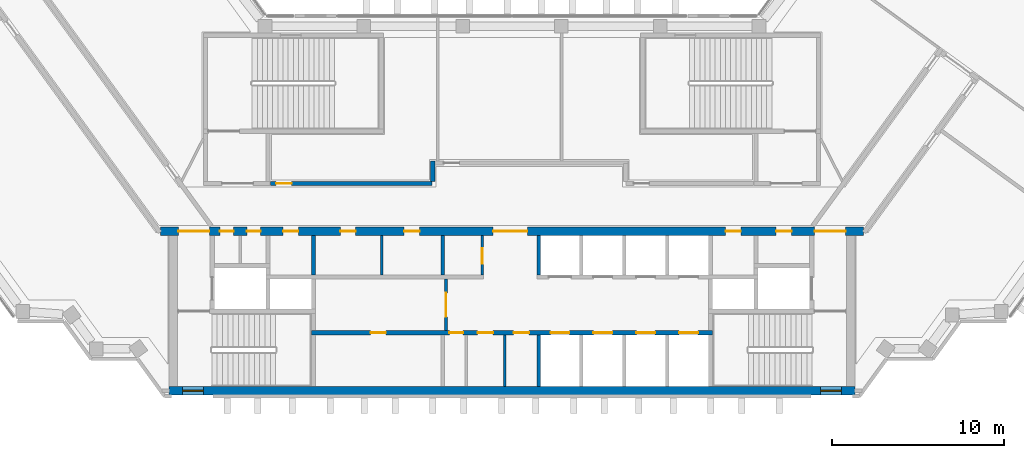
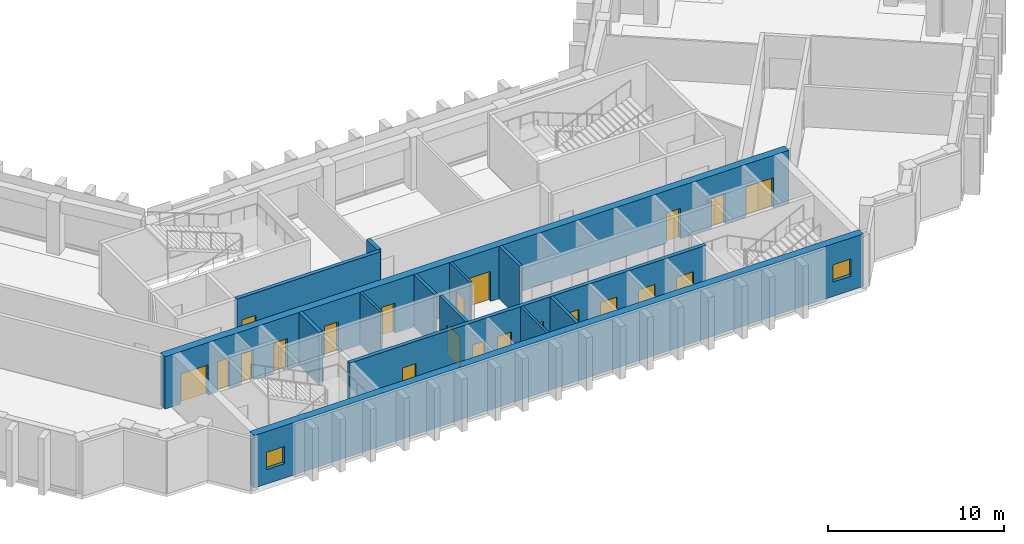
# One storey, part 5 of 9: 21 doors, 13 walls, 2 windows, 23 openings.
"""IFC4 building model written with IfcOpenShell, lengths in metres."""

from ifc_helpers import new_model, si_unit, direction, frame, frame_2d, origin, place, context, subcontext, project, spatial, rectangle, extrude, material, layer, layer_set, type_object, element, fill, save


model = new_model("IFC4")

# Units and contexts
model_context = context("Model", 3, precision=1e-05, world=origin(), true_north=direction((0.0, 1.0)))
body_context = subcontext(model_context, "Body", "Model", "MODEL_VIEW")
ifc_project = project(units=[si_unit("LENGTHUNIT", "METRE"), si_unit("AREAUNIT", "SQUARE_METRE"), si_unit("VOLUMEUNIT", "CUBIC_METRE"), si_unit("PLANEANGLEUNIT", "RADIAN"), si_unit("MASSUNIT", "GRAM", prefix="KILO")], contexts=[model_context])

# Site, building, storey
site_placement = place(None, origin())
site = spatial("IfcSite", under=ifc_project, at=site_placement, CompositionType="ELEMENT")
building_placement = place(site_placement, origin())
building = spatial("IfcBuilding", under=site, at=building_placement, Name="Quipu Civic Tower", CompositionType="ELEMENT")
storey_placement = place(building_placement, frame((0.0, 0.0, 230.0)))
storey = spatial("IfcBuildingStorey", under=building, at=storey_placement, Name="L54", CompositionType="ELEMENT", Elevation=230.0)

# Wall, openings, doors
ifc_material_1 = material(Name="Concrete C70/85", Category="concrete")
ifc_layer_1 = layer(ifc_material_1, 0.25)
ifc_layer_set_1 = layer_set([ifc_layer_1], Name="Concrete C70/85")
wall_type_1 = type_object("IfcWallType", Name="Core wall 250", PredefinedType="SHEAR", material=ifc_layer_set_1)
wall_1_placement = place(storey_placement, frame((11.699951171875, -7.375, 0.0), z_axis=(0.0, 0.0, 1.0), x_axis=(-1.0, 0.0, 0.0)))
wall_1 = element("IfcWall", 1, at=wall_1_placement, inside=storey, type_object=wall_type_1, Name="Core wall", PredefinedType="SHEAR", context=body_context, shape_type="SweptSolid", body=[
    extrude(rectangle(XDim=23.39990234375, YDim=0.25, at=frame_2d((11.699951171875, 0.0))), origin(), (0.0, 0.0, 1.0), 3.64990234375),
])
opening_1_placement = place(wall_1_placement, frame((19.050048828125, 0.0, 0.0)))
opening_1 = element("IfcOpeningElement", 2, at=opening_1_placement, cuts=wall_1, Name="Opening CD-01", PredefinedType="OPENING", context=body_context, shape_type="SweptSolid", body=[
    extrude(rectangle(XDim=0.89990234375, YDim=2.10009765625, at=frame_2d((0.449951171875, 1.050048828125))), frame((0.0, 0.135009765625, 0.0), z_axis=(0.0, -1.0, 0.0), x_axis=(1.0, 0.0, 0.0)), (0.0, 0.0, 1.0), 0.27001953125),
])
opening_2_placement = place(wall_1_placement, frame((14.550048828125, 0.0, 0.0)))
opening_2 = element("IfcOpeningElement", 3, at=opening_2_placement, cuts=wall_1, Name="Opening CD-02", PredefinedType="OPENING", context=body_context, shape_type="SweptSolid", body=[
    extrude(rectangle(XDim=0.800048828125, YDim=2.10009765625, at=frame_2d((0.39990234375, 1.050048828125))), frame((0.0, 0.135009765625, 0.0), z_axis=(0.0, -1.0, 0.0), x_axis=(1.0, 0.0, 0.0)), (0.0, 0.0, 1.0), 0.27001953125),
])
opening_3_placement = place(wall_1_placement, frame((12.800048828125, 0.0, 0.0)))
opening_3 = element("IfcOpeningElement", 4, at=opening_3_placement, cuts=wall_1, Name="Opening CD-03", PredefinedType="OPENING", context=body_context, shape_type="SweptSolid", body=[
    extrude(rectangle(XDim=0.89990234375, YDim=2.10009765625, at=frame_2d((0.449951171875, 1.050048828125))), frame((0.0, 0.135009765625, 0.0), z_axis=(0.0, -1.0, 0.0), x_axis=(1.0, 0.0, 0.0)), (0.0, 0.0, 1.0), 0.27001953125),
])
opening_4_placement = place(wall_1_placement, frame((10.699951171875, 0.0, 0.0)))
opening_4 = element("IfcOpeningElement", 5, at=opening_4_placement, cuts=wall_1, Name="Opening CD-04", PredefinedType="OPENING", context=body_context, shape_type="SweptSolid", body=[
    extrude(rectangle(XDim=0.89990234375, YDim=2.10009765625, at=frame_2d((0.449951171875, 1.050048828125))), frame((0.0, 0.135009765625, 0.0), z_axis=(0.0, -1.0, 0.0), x_axis=(1.0, 0.0, 0.0)), (0.0, 0.0, 1.0), 0.27001953125),
])
opening_5_placement = place(wall_1_placement, frame((8.35009765625, 0.0, 0.0)))
opening_5 = element("IfcOpeningElement", 6, at=opening_5_placement, cuts=wall_1, Name="Opening LD-ML1", PredefinedType="OPENING", context=body_context, shape_type="SweptSolid", body=[
    extrude(rectangle(XDim=1.10009765625, YDim=2.10009765625, at=frame_2d((0.550048828125, 1.050048828125))), frame((0.0, 0.135009765625, 0.0), z_axis=(0.0, -1.0, 0.0), x_axis=(1.0, 0.0, 0.0)), (0.0, 0.0, 1.0), 0.27001953125),
])
opening_6_placement = place(wall_1_placement, frame((5.85009765625, 0.0, 0.0)))
opening_6 = element("IfcOpeningElement", 7, at=opening_6_placement, cuts=wall_1, Name="Opening LD-ML2", PredefinedType="OPENING", context=body_context, shape_type="SweptSolid", body=[
    extrude(rectangle(XDim=1.10009765625, YDim=2.10009765625, at=frame_2d((0.550048828125, 1.050048828125))), frame((0.0, 0.135009765625, 0.0), z_axis=(0.0, -1.0, 0.0), x_axis=(1.0, 0.0, 0.0)), (0.0, 0.0, 1.0), 0.27001953125),
])
opening_7_placement = place(wall_1_placement, frame((3.35009765625, 0.0, 0.0)))
opening_7 = element("IfcOpeningElement", 8, at=opening_7_placement, cuts=wall_1, Name="Opening LD-ML3", PredefinedType="OPENING", context=body_context, shape_type="SweptSolid", body=[
    extrude(rectangle(XDim=1.10009765625, YDim=2.10009765625, at=frame_2d((0.550048828125, 1.050048828125))), frame((0.0, 0.135009765625, 0.0), z_axis=(0.0, -1.0, 0.0), x_axis=(1.0, 0.0, 0.0)), (0.0, 0.0, 1.0), 0.27001953125),
])
opening_8_placement = place(wall_1_placement, frame((0.85009765625, 0.0, 0.0)))
opening_8 = element("IfcOpeningElement", 9, at=opening_8_placement, cuts=wall_1, Name="Opening LD-ML4", PredefinedType="OPENING", context=body_context, shape_type="SweptSolid", body=[
    extrude(rectangle(XDim=1.10009765625, YDim=2.10009765625, at=frame_2d((0.550048828125, 1.050048828125))), frame((0.0, 0.135009765625, 0.0), z_axis=(0.0, -1.0, 0.0), x_axis=(1.0, 0.0, 0.0)), (0.0, 0.0, 1.0), 0.27001953125),
])
ifc_material_2 = material(Name="Fire rated steel door", Category="steel")
door_type_1 = type_object("IfcDoorType", Name="Fire door FD60 800 x 2100", OperationType="NOTDEFINED", PredefinedType="DOOR", material=ifc_material_2)
door_1_placement = place(opening_2_placement, origin())
door_1 = element("IfcDoor", 10, at=door_1_placement, inside=storey, type_object=door_type_1, Name="Door", OperationType="SINGLE_SWING_RIGHT", OverallHeight=2.10009765625, OverallWidth=0.800048828125, PredefinedType="DOOR", context=body_context, shape_type="SweptSolid", body=[
    extrude(rectangle(XDim=0.800048828125, YDim=2.10009765625, at=frame_2d((0.39990234375, 1.050048828125))), frame((0.0, 0.02490234375, 0.0), z_axis=(0.0, -1.0, 0.0), x_axis=(1.0, 0.0, 0.0)), (0.0, 0.0, 1.0), 0.050048828125),
])
fill(opening_2, door_1)
ifc_material_3 = material(Name="Fire rated steel door", Category="steel")
door_type_2 = type_object("IfcDoorType", Name="Fire door FD60 900 x 2100", OperationType="NOTDEFINED", PredefinedType="DOOR", material=ifc_material_3)
door_2_placement = place(opening_1_placement, origin())
door_2 = element("IfcDoor", 11, at=door_2_placement, inside=storey, type_object=door_type_2, Name="Door", OperationType="SINGLE_SWING_RIGHT", OverallHeight=2.10009765625, OverallWidth=0.89990234375, PredefinedType="DOOR", context=body_context, shape_type="SweptSolid", body=[
    extrude(rectangle(XDim=0.89990234375, YDim=2.10009765625, at=frame_2d((0.449951171875, 1.050048828125))), frame((0.0, 0.02490234375, 0.0), z_axis=(0.0, -1.0, 0.0), x_axis=(1.0, 0.0, 0.0)), (0.0, 0.0, 1.0), 0.050048828125),
])
fill(opening_1, door_2)
door_3_placement = place(opening_3_placement, origin())
door_3 = element("IfcDoor", 12, at=door_3_placement, inside=storey, type_object=door_type_2, Name="WC door", OperationType="SINGLE_SWING_RIGHT", OverallHeight=2.10009765625, OverallWidth=0.89990234375, PredefinedType="DOOR", context=body_context, shape_type="SweptSolid", body=[
    extrude(rectangle(XDim=0.89990234375, YDim=2.10009765625, at=frame_2d((0.449951171875, 1.050048828125))), frame((0.0, 0.02490234375, 0.0), z_axis=(0.0, -1.0, 0.0), x_axis=(1.0, 0.0, 0.0)), (0.0, 0.0, 1.0), 0.050048828125),
])
fill(opening_3, door_3)
door_4_placement = place(opening_4_placement, origin())
door_4 = element("IfcDoor", 13, at=door_4_placement, inside=storey, type_object=door_type_2, Name="WC door", OperationType="SINGLE_SWING_LEFT", OverallHeight=2.10009765625, OverallWidth=0.89990234375, PredefinedType="DOOR", context=body_context, shape_type="SweptSolid", body=[
    extrude(rectangle(XDim=0.89990234375, YDim=2.10009765625, at=frame_2d((0.449951171875, 1.050048828125))), frame((0.0, 0.02490234375, 0.0), z_axis=(0.0, -1.0, 0.0), x_axis=(1.0, 0.0, 0.0)), (0.0, 0.0, 1.0), 0.050048828125),
])
fill(opening_4, door_4)
ifc_material_4 = material(Name="Stainless steel", Category="steel")
door_type_3 = type_object("IfcDoorType", Name="Lift landing door 1100 x 2100", OperationType="DOUBLE_DOOR_SLIDING", PredefinedType="DOOR", material=ifc_material_4)
door_5_placement = place(opening_5_placement, origin())
door_5 = element("IfcDoor", 14, at=door_5_placement, inside=storey, type_object=door_type_3, Name="Landing door ML1", OperationType="DOUBLE_DOOR_SLIDING", OverallHeight=2.10009765625, OverallWidth=1.10009765625, PredefinedType="DOOR", context=body_context, shape_type="SweptSolid", body=[
    extrude(rectangle(XDim=1.10009765625, YDim=2.10009765625, at=frame_2d((0.550048828125, 1.050048828125))), frame((0.0, 0.02490234375, 0.0), z_axis=(0.0, -1.0, 0.0), x_axis=(1.0, 0.0, 0.0)), (0.0, 0.0, 1.0), 0.050048828125),
])
fill(opening_5, door_5)
door_6_placement = place(opening_6_placement, origin())
door_6 = element("IfcDoor", 15, at=door_6_placement, inside=storey, type_object=door_type_3, Name="Landing door ML2", OperationType="DOUBLE_DOOR_SLIDING", OverallHeight=2.10009765625, OverallWidth=1.10009765625, PredefinedType="DOOR", context=body_context, shape_type="SweptSolid", body=[
    extrude(rectangle(XDim=1.10009765625, YDim=2.10009765625, at=frame_2d((0.550048828125, 1.050048828125))), frame((0.0, 0.02490234375, 0.0), z_axis=(0.0, -1.0, 0.0), x_axis=(1.0, 0.0, 0.0)), (0.0, 0.0, 1.0), 0.050048828125),
])
fill(opening_6, door_6)
door_7_placement = place(opening_7_placement, origin())
door_7 = element("IfcDoor", 16, at=door_7_placement, inside=storey, type_object=door_type_3, Name="Landing door ML3", OperationType="DOUBLE_DOOR_SLIDING", OverallHeight=2.10009765625, OverallWidth=1.10009765625, PredefinedType="DOOR", context=body_context, shape_type="SweptSolid", body=[
    extrude(rectangle(XDim=1.10009765625, YDim=2.10009765625, at=frame_2d((0.550048828125, 1.050048828125))), frame((0.0, 0.02490234375, 0.0), z_axis=(0.0, -1.0, 0.0), x_axis=(1.0, 0.0, 0.0)), (0.0, 0.0, 1.0), 0.050048828125),
])
fill(opening_7, door_7)
door_8_placement = place(opening_8_placement, origin())
door_8 = element("IfcDoor", 17, at=door_8_placement, inside=storey, type_object=door_type_3, Name="Landing door ML4", OperationType="DOUBLE_DOOR_SLIDING", OverallHeight=2.10009765625, OverallWidth=1.10009765625, PredefinedType="DOOR", context=body_context, shape_type="SweptSolid", body=[
    extrude(rectangle(XDim=1.10009765625, YDim=2.10009765625, at=frame_2d((0.550048828125, 1.050048828125))), frame((0.0, 0.02490234375, 0.0), z_axis=(0.0, -1.0, 0.0), x_axis=(1.0, 0.0, 0.0)), (0.0, 0.0, 1.0), 0.050048828125),
])
fill(opening_8, door_8)

# Wall
wall_2_placement = place(storey_placement, frame((-11.574951171875, -4.0, 0.0), z_axis=(0.0, 0.0, 1.0), x_axis=(0.0, 1.0, 0.0)))
element("IfcWall", 18, at=wall_2_placement, inside=storey, type_object=wall_type_1, Name="Core wall", PredefinedType="SHEAR", context=body_context, shape_type="SweptSolid", body=[
    extrude(rectangle(XDim=2.300048828125, YDim=0.25, at=frame_2d((1.14990234375, 0.0))), origin(), (0.0, 0.0, 1.0), 3.64990234375),
])

# Wall, openings, windows
ifc_material_5 = material(Name="Concrete C70/85", Category="concrete")
ifc_layer_2 = layer(ifc_material_5, 0.5)
ifc_layer_set_2 = layer_set([ifc_layer_2], Name="Concrete C70/85")
wall_type_2 = type_object("IfcWallType", Name="Core wall 500", PredefinedType="SHEAR", material=ifc_layer_set_2)
wall_3_placement = place(storey_placement, frame((-20.0, -10.75, 0.0), z_axis=(0.0, 0.0, 1.0), x_axis=(1.0, 0.0, 0.0)))
wall_3 = element("IfcWall", 19, at=wall_3_placement, inside=storey, type_object=wall_type_2, Name="Core wall", PredefinedType="SHEAR", context=body_context, shape_type="SweptSolid", body=[
    extrude(rectangle(XDim=40.0, YDim=0.5, at=frame_2d((20.0, 0.0))), origin(), (0.0, 0.0, 1.0), 3.64990234375),
])
opening_9_placement = place(wall_3_placement, frame((0.800048828125, 0.0, 1.0)))
opening_9 = element("IfcOpeningElement", 20, at=opening_9_placement, cuts=wall_3, Name="Opening SV-1", PredefinedType="OPENING", context=body_context, shape_type="SweptSolid", body=[
    extrude(rectangle(XDim=1.199951171875, YDim=1.199951171875, at=frame_2d((0.60009765625, 0.60009765625))), frame((0.0, 0.260009765625, 0.0), z_axis=(0.0, -1.0, 0.0), x_axis=(1.0, 0.0, 0.0)), (0.0, 0.0, 1.0), 0.52001953125),
])
opening_10_placement = place(wall_3_placement, frame((38.0, 0.0, 1.0)))
opening_10 = element("IfcOpeningElement", 21, at=opening_10_placement, cuts=wall_3, Name="Opening SV-2", PredefinedType="OPENING", context=body_context, shape_type="SweptSolid", body=[
    extrude(rectangle(XDim=1.199951171875, YDim=1.199951171875, at=frame_2d((0.60009765625, 0.60009765625))), frame((0.0, 0.260009765625, 0.0), z_axis=(0.0, -1.0, 0.0), x_axis=(1.0, 0.0, 0.0)), (0.0, 0.0, 1.0), 0.52001953125),
])
ifc_material_6 = material(Name="Aluminium louvre", Category="aluminium")
window_type = type_object("IfcWindowType", Name="Stair ventilation louvre 1200 x 1200", PartitioningType="SINGLE_PANEL", PredefinedType="WINDOW", material=ifc_material_6)
window_1_placement = place(opening_9_placement, origin())
window_1 = element("IfcWindow", 22, at=window_1_placement, inside=storey, type_object=window_type, Name="Stair ventilation opening", OverallHeight=1.199951171875, OverallWidth=1.199951171875, PartitioningType="SINGLE_PANEL", PredefinedType="WINDOW", context=body_context, shape_type="SweptSolid", body=[
    extrude(rectangle(XDim=1.199951171875, YDim=1.199951171875, at=frame_2d((0.60009765625, 0.60009765625))), frame((0.0, 0.030029296875, 0.0), z_axis=(0.0, -1.0, 0.0), x_axis=(1.0, 0.0, 0.0)), (0.0, 0.0, 1.0), 0.06005859375),
])
fill(opening_9, window_1)
window_2_placement = place(opening_10_placement, origin())
window_2 = element("IfcWindow", 23, at=window_2_placement, inside=storey, type_object=window_type, Name="Stair ventilation opening", OverallHeight=1.199951171875, OverallWidth=1.199951171875, PartitioningType="SINGLE_PANEL", PredefinedType="WINDOW", context=body_context, shape_type="SweptSolid", body=[
    extrude(rectangle(XDim=1.199951171875, YDim=1.199951171875, at=frame_2d((0.60009765625, 0.60009765625))), frame((0.0, 0.030029296875, 0.0), z_axis=(0.0, -1.0, 0.0), x_axis=(1.0, 0.0, 0.0)), (0.0, 0.0, 1.0), 0.06005859375),
])
fill(opening_10, window_2)

# Wall, openings, doors
wall_4_placement = place(storey_placement, frame((20.489990234375, -1.449951171875, 0.0), z_axis=(0.0, 0.0, 1.0), x_axis=(-1.0, 0.0, 0.0)))
wall_4 = element("IfcWall", 24, at=wall_4_placement, inside=storey, type_object=wall_type_2, Name="Core wall", PredefinedType="SHEAR", context=body_context, shape_type="SweptSolid", body=[
    extrude(rectangle(XDim=40.97998046875, YDim=0.5, at=frame_2d((20.489990234375, 0.0))), origin(), (0.0, 0.0, 1.0), 3.64990234375),
])
opening_11_placement = place(wall_4_placement, frame((38.139892578125, 0.0, 0.0)))
opening_11 = element("IfcOpeningElement", 25, at=opening_11_placement, cuts=wall_4, Name="Opening CD-09", PredefinedType="OPENING", context=body_context, shape_type="SweptSolid", body=[
    extrude(rectangle(XDim=1.800048828125, YDim=2.10009765625, at=frame_2d((0.89990234375, 1.050048828125))), frame((0.0, 0.260009765625, 0.0), z_axis=(0.0, -1.0, 0.0), x_axis=(1.0, 0.0, 0.0)), (0.0, 0.0, 1.0), 0.52001953125),
])
opening_12_placement = place(wall_4_placement, frame((36.7275390625, 0.0, 0.0)))
opening_12 = element("IfcOpeningElement", 26, at=opening_12_placement, cuts=wall_4, Name="Opening CD-10", PredefinedType="OPENING", context=body_context, shape_type="SweptSolid", body=[
    extrude(rectangle(XDim=0.800048828125, YDim=2.10009765625, at=frame_2d((0.39990234375, 1.050048828125))), frame((0.0, 0.260009765625, 0.0), z_axis=(0.0, -1.0, 0.0), x_axis=(1.0, 0.0, 0.0)), (0.0, 0.0, 1.0), 0.52001953125),
])
opening_13_placement = place(wall_4_placement, frame((35.152587890625, 0.0, 0.0)))
opening_13 = element("IfcOpeningElement", 27, at=opening_13_placement, cuts=wall_4, Name="Opening CD-11", PredefinedType="OPENING", context=body_context, shape_type="SweptSolid", body=[
    extrude(rectangle(XDim=0.800048828125, YDim=2.10009765625, at=frame_2d((0.39990234375, 1.050048828125))), frame((0.0, 0.260009765625, 0.0), z_axis=(0.0, -1.0, 0.0), x_axis=(1.0, 0.0, 0.0)), (0.0, 0.0, 1.0), 0.52001953125),
])
opening_14_placement = place(wall_4_placement, frame((32.93994140625, 0.0, 0.0)))
opening_14 = element("IfcOpeningElement", 28, at=opening_14_placement, cuts=wall_4, Name="Opening CD-12", PredefinedType="OPENING", context=body_context, shape_type="SweptSolid", body=[
    extrude(rectangle(XDim=0.89990234375, YDim=2.10009765625, at=frame_2d((0.449951171875, 1.050048828125))), frame((0.0, 0.260009765625, 0.0), z_axis=(0.0, -1.0, 0.0), x_axis=(1.0, 0.0, 0.0)), (0.0, 0.0, 1.0), 0.52001953125),
])
opening_15_placement = place(wall_4_placement, frame((29.6025390625, 0.0, 0.0)))
opening_15 = element("IfcOpeningElement", 29, at=opening_15_placement, cuts=wall_4, Name="Opening CD-13", PredefinedType="OPENING", context=body_context, shape_type="SweptSolid", body=[
    extrude(rectangle(XDim=0.89990234375, YDim=2.10009765625, at=frame_2d((0.449951171875, 1.050048828125))), frame((0.0, 0.260009765625, 0.0), z_axis=(0.0, -1.0, 0.0), x_axis=(1.0, 0.0, 0.0)), (0.0, 0.0, 1.0), 0.52001953125),
])
opening_16_placement = place(wall_4_placement, frame((25.87744140625, 0.0, 0.0)))
opening_16 = element("IfcOpeningElement", 30, at=opening_16_placement, cuts=wall_4, Name="Opening CD-14", PredefinedType="OPENING", context=body_context, shape_type="SweptSolid", body=[
    extrude(rectangle(XDim=0.89990234375, YDim=2.10009765625, at=frame_2d((0.449951171875, 1.050048828125))), frame((0.0, 0.260009765625, 0.0), z_axis=(0.0, -1.0, 0.0), x_axis=(1.0, 0.0, 0.0)), (0.0, 0.0, 1.0), 0.52001953125),
])
opening_17_placement = place(wall_4_placement, frame((19.590087890625, 0.0, 0.0)))
opening_17 = element("IfcOpeningElement", 31, at=opening_17_placement, cuts=wall_4, Name="Opening CD-15", PredefinedType="OPENING", context=body_context, shape_type="SweptSolid", body=[
    extrude(rectangle(XDim=2.0, YDim=2.10009765625, at=frame_2d((1.0, 1.050048828125))), frame((0.0, 0.260009765625, 0.0), z_axis=(0.0, -1.0, 0.0), x_axis=(1.0, 0.0, 0.0)), (0.0, 0.0, 1.0), 0.52001953125),
])
opening_18_placement = place(wall_4_placement, frame((7.139892578125, 0.0, 0.0)))
opening_18 = element("IfcOpeningElement", 32, at=opening_18_placement, cuts=wall_4, Name="Opening CD-16", PredefinedType="OPENING", context=body_context, shape_type="SweptSolid", body=[
    extrude(rectangle(XDim=0.89990234375, YDim=2.10009765625, at=frame_2d((0.449951171875, 1.050048828125))), frame((0.0, 0.260009765625, 0.0), z_axis=(0.0, -1.0, 0.0), x_axis=(1.0, 0.0, 0.0)), (0.0, 0.0, 1.0), 0.52001953125),
])
opening_19_placement = place(wall_4_placement, frame((4.18994140625, 0.0, 0.0)))
opening_19 = element("IfcOpeningElement", 33, at=opening_19_placement, cuts=wall_4, Name="Opening CD-17", PredefinedType="OPENING", context=body_context, shape_type="SweptSolid", body=[
    extrude(rectangle(XDim=0.89990234375, YDim=2.10009765625, at=frame_2d((0.449951171875, 1.050048828125))), frame((0.0, 0.260009765625, 0.0), z_axis=(0.0, -1.0, 0.0), x_axis=(1.0, 0.0, 0.0)), (0.0, 0.0, 1.0), 0.52001953125),
])
opening_20_placement = place(wall_4_placement, frame((1.0400390625, 0.0, 0.0)))
opening_20 = element("IfcOpeningElement", 34, at=opening_20_placement, cuts=wall_4, Name="Opening CD-18", PredefinedType="OPENING", context=body_context, shape_type="SweptSolid", body=[
    extrude(rectangle(XDim=1.800048828125, YDim=2.10009765625, at=frame_2d((0.89990234375, 1.050048828125))), frame((0.0, 0.260009765625, 0.0), z_axis=(0.0, -1.0, 0.0), x_axis=(1.0, 0.0, 0.0)), (0.0, 0.0, 1.0), 0.52001953125),
])
door_9_placement = place(opening_12_placement, origin())
door_9 = element("IfcDoor", 35, at=door_9_placement, inside=storey, type_object=door_type_1, Name="Door", OperationType="SINGLE_SWING_RIGHT", OverallHeight=2.10009765625, OverallWidth=0.800048828125, PredefinedType="DOOR", context=body_context, shape_type="SweptSolid", body=[
    extrude(rectangle(XDim=0.800048828125, YDim=2.10009765625, at=frame_2d((0.39990234375, 1.050048828125))), frame((0.0, 0.02490234375, 0.0), z_axis=(0.0, -1.0, 0.0), x_axis=(1.0, 0.0, 0.0)), (0.0, 0.0, 1.0), 0.050048828125),
])
fill(opening_12, door_9)
door_10_placement = place(opening_13_placement, origin())
door_10 = element("IfcDoor", 36, at=door_10_placement, inside=storey, type_object=door_type_1, Name="Door", OperationType="SINGLE_SWING_RIGHT", OverallHeight=2.10009765625, OverallWidth=0.800048828125, PredefinedType="DOOR", context=body_context, shape_type="SweptSolid", body=[
    extrude(rectangle(XDim=0.800048828125, YDim=2.10009765625, at=frame_2d((0.39990234375, 1.050048828125))), frame((0.0, 0.02490234375, 0.0), z_axis=(0.0, -1.0, 0.0), x_axis=(1.0, 0.0, 0.0)), (0.0, 0.0, 1.0), 0.050048828125),
])
fill(opening_13, door_10)
door_11_placement = place(opening_14_placement, origin())
door_11 = element("IfcDoor", 37, at=door_11_placement, inside=storey, type_object=door_type_2, Name="Riser door", OperationType="SINGLE_SWING_RIGHT", OverallHeight=2.10009765625, OverallWidth=0.89990234375, PredefinedType="DOOR", context=body_context, shape_type="SweptSolid", body=[
    extrude(rectangle(XDim=0.89990234375, YDim=2.10009765625, at=frame_2d((0.449951171875, 1.050048828125))), frame((0.0, 0.02490234375, 0.0), z_axis=(0.0, -1.0, 0.0), x_axis=(1.0, 0.0, 0.0)), (0.0, 0.0, 1.0), 0.050048828125),
])
fill(opening_14, door_11)
door_12_placement = place(opening_15_placement, origin())
door_12 = element("IfcDoor", 38, at=door_12_placement, inside=storey, type_object=door_type_2, Name="Door", OperationType="SINGLE_SWING_RIGHT", OverallHeight=2.10009765625, OverallWidth=0.89990234375, PredefinedType="DOOR", context=body_context, shape_type="SweptSolid", body=[
    extrude(rectangle(XDim=0.89990234375, YDim=2.10009765625, at=frame_2d((0.449951171875, 1.050048828125))), frame((0.0, 0.02490234375, 0.0), z_axis=(0.0, -1.0, 0.0), x_axis=(1.0, 0.0, 0.0)), (0.0, 0.0, 1.0), 0.050048828125),
])
fill(opening_15, door_12)
door_13_placement = place(opening_16_placement, origin())
door_13 = element("IfcDoor", 39, at=door_13_placement, inside=storey, type_object=door_type_2, Name="Door", OperationType="SINGLE_SWING_RIGHT", OverallHeight=2.10009765625, OverallWidth=0.89990234375, PredefinedType="DOOR", context=body_context, shape_type="SweptSolid", body=[
    extrude(rectangle(XDim=0.89990234375, YDim=2.10009765625, at=frame_2d((0.449951171875, 1.050048828125))), frame((0.0, 0.02490234375, 0.0), z_axis=(0.0, -1.0, 0.0), x_axis=(1.0, 0.0, 0.0)), (0.0, 0.0, 1.0), 0.050048828125),
])
fill(opening_16, door_13)
door_14_placement = place(opening_18_placement, origin())
door_14 = element("IfcDoor", 40, at=door_14_placement, inside=storey, type_object=door_type_2, Name="Riser door", OperationType="SINGLE_SWING_LEFT", OverallHeight=2.10009765625, OverallWidth=0.89990234375, PredefinedType="DOOR", context=body_context, shape_type="SweptSolid", body=[
    extrude(rectangle(XDim=0.89990234375, YDim=2.10009765625, at=frame_2d((0.449951171875, 1.050048828125))), frame((0.0, 0.02490234375, 0.0), z_axis=(0.0, -1.0, 0.0), x_axis=(1.0, 0.0, 0.0)), (0.0, 0.0, 1.0), 0.050048828125),
])
fill(opening_18, door_14)
door_15_placement = place(opening_19_placement, origin())
door_15 = element("IfcDoor", 41, at=door_15_placement, inside=storey, type_object=door_type_2, Name="Door", OperationType="SINGLE_SWING_LEFT", OverallHeight=2.10009765625, OverallWidth=0.89990234375, PredefinedType="DOOR", context=body_context, shape_type="SweptSolid", body=[
    extrude(rectangle(XDim=0.89990234375, YDim=2.10009765625, at=frame_2d((0.449951171875, 1.050048828125))), frame((0.0, 0.02490234375, 0.0), z_axis=(0.0, -1.0, 0.0), x_axis=(1.0, 0.0, 0.0)), (0.0, 0.0, 1.0), 0.050048828125),
])
fill(opening_19, door_15)
ifc_material_7 = material(Name="Fire rated steel door", Category="steel")
door_type_4 = type_object("IfcDoorType", Name="Fire door FD90 double 1800 x 2100", OperationType="NOTDEFINED", PredefinedType="DOOR", material=ifc_material_7)
door_16_placement = place(opening_11_placement, origin())
door_16 = element("IfcDoor", 42, at=door_16_placement, inside=storey, type_object=door_type_4, Name="Lobby door", OperationType="DOUBLE_DOOR_SINGLE_SWING", OverallHeight=2.10009765625, OverallWidth=1.800048828125, PredefinedType="DOOR", context=body_context, shape_type="SweptSolid", body=[
    extrude(rectangle(XDim=1.800048828125, YDim=2.10009765625, at=frame_2d((0.89990234375, 1.050048828125))), frame((0.0, 0.02490234375, 0.0), z_axis=(0.0, -1.0, 0.0), x_axis=(1.0, 0.0, 0.0)), (0.0, 0.0, 1.0), 0.050048828125),
])
fill(opening_11, door_16)
door_17_placement = place(opening_20_placement, origin())
door_17 = element("IfcDoor", 43, at=door_17_placement, inside=storey, type_object=door_type_4, Name="Lobby door", OperationType="DOUBLE_DOOR_SINGLE_SWING", OverallHeight=2.10009765625, OverallWidth=1.800048828125, PredefinedType="DOOR", context=body_context, shape_type="SweptSolid", body=[
    extrude(rectangle(XDim=1.800048828125, YDim=2.10009765625, at=frame_2d((0.89990234375, 1.050048828125))), frame((0.0, 0.02490234375, 0.0), z_axis=(0.0, -1.0, 0.0), x_axis=(1.0, 0.0, 0.0)), (0.0, 0.0, 1.0), 0.050048828125),
])
fill(opening_20, door_17)
ifc_material_8 = material(Name="Fire rated steel door", Category="steel")
door_type_5 = type_object("IfcDoorType", Name="Fire door FD90 double 2000 x 2100", OperationType="NOTDEFINED", PredefinedType="DOOR", material=ifc_material_8)
door_18_placement = place(opening_17_placement, origin())
door_18 = element("IfcDoor", 44, at=door_18_placement, inside=storey, type_object=door_type_5, Name="Lobby door", OperationType="DOUBLE_DOOR_SINGLE_SWING", OverallHeight=2.10009765625, OverallWidth=2.0, PredefinedType="DOOR", context=body_context, shape_type="SweptSolid", body=[
    extrude(rectangle(XDim=2.0, YDim=2.10009765625, at=frame_2d((1.0, 1.050048828125))), frame((0.0, 0.02490234375, 0.0), z_axis=(0.0, -1.0, 0.0), x_axis=(1.0, 0.0, 0.0)), (0.0, 0.0, 1.0), 0.050048828125),
])
fill(opening_17, door_18)

# Wall, opening, door
ifc_material_9 = material(Name="Concrete C50/60", Category="concrete")
ifc_layer_3 = layer(ifc_material_9, 0.25)
ifc_layer_set_3 = layer_set([ifc_layer_3], Name="Concrete C50/60")
wall_type_3 = type_object("IfcWallType", Name="Corridor wall 250 concrete", PredefinedType="SOLIDWALL", material=ifc_layer_set_3)
wall_5_placement = place(storey_placement, frame((-14.090087890625, 1.324951171875, 0.0), z_axis=(0.0, 0.0, 1.0), x_axis=(1.0, 0.0, 0.0)))
wall_5 = element("IfcWall", 45, at=wall_5_placement, inside=storey, type_object=wall_type_3, Name="Corridor wall C07", PredefinedType="SOLIDWALL", context=body_context, shape_type="SweptSolid", body=[
    extrude(rectangle(XDim=9.431396484375, YDim=0.25, at=frame_2d((4.7158203125, 0.0))), origin(), (0.0, 0.0, 1.0), 3.64990234375),
])
opening_21_placement = place(wall_5_placement, frame((0.340087890625, 0.0, 0.0)))
opening_21 = element("IfcOpeningElement", 46, at=opening_21_placement, cuts=wall_5, Name="Opening D005", PredefinedType="OPENING", context=body_context, shape_type="SweptSolid", body=[
    extrude(rectangle(XDim=0.89990234375, YDim=2.10009765625, at=frame_2d((0.449951171875, 1.050048828125))), frame((0.0, 0.135009765625, 0.0), z_axis=(0.0, -1.0, 0.0), x_axis=(1.0, 0.0, 0.0)), (0.0, 0.0, 1.0), 0.27001953125),
])
ifc_material_10 = material(Name="Fire rated timber door set with metal frame", Category="wood")
door_type_6 = type_object("IfcDoorType", Name="Single door 900 x 2100 FD60", OperationType="NOTDEFINED", PredefinedType="DOOR", material=ifc_material_10)
door_19_placement = place(opening_21_placement, origin())
door_19 = element("IfcDoor", 47, at=door_19_placement, inside=storey, type_object=door_type_6, Name="Door D005", OperationType="SINGLE_SWING_LEFT", OverallHeight=2.10009765625, OverallWidth=0.89990234375, PredefinedType="DOOR", context=body_context, shape_type="SweptSolid", body=[
    extrude(rectangle(XDim=0.89990234375, YDim=2.10009765625, at=frame_2d((0.449951171875, 1.050048828125))), frame((0.0, 0.02490234375, 0.0), z_axis=(0.0, -1.0, 0.0), x_axis=(1.0, 0.0, 0.0)), (0.0, 0.0, 1.0), 0.050048828125),
])
fill(opening_21, door_19)

# Walls
wall_6_placement = place(storey_placement, frame((-4.625, 1.45361328125, 0.0), z_axis=(0.0, 0.0, 1.0), x_axis=(0.0, 1.0, 0.0)))
element("IfcWall", 48, at=wall_6_placement, inside=storey, type_object=wall_type_3, Name="Corridor wall C08", PredefinedType="SOLIDWALL", context=body_context, shape_type="SweptSolid", body=[
    extrude(rectangle(XDim=1.1962890625, YDim=0.25, at=frame_2d((0.59814453125, 0.0))), origin(), (0.0, 0.0, 1.0), 3.64990234375),
])
ifc_material_11 = material(Name="Gypsum board partition")
ifc_layer_4 = layer(ifc_material_11, 0.14990234375)
ifc_layer_set_4 = layer_set([ifc_layer_4], Name="Gypsum board partition")
wall_type_4 = type_object("IfcWallType", Name="Partition 150", PredefinedType="PARTITIONING", material=ifc_layer_set_4)
wall_7_placement = place(storey_placement, frame((-0.425048828125, -10.5, 0.0), z_axis=(0.0, 0.0, 1.0), x_axis=(0.0, 1.0, 0.0)))
element("IfcWall", 49, at=wall_7_placement, inside=storey, type_object=wall_type_4, Name="Partition", PredefinedType="PARTITIONING", context=body_context, shape_type="SweptSolid", body=[
    extrude(rectangle(XDim=3.0, YDim=0.14990234375, at=frame_2d((1.5, 0.0))), origin(), (0.0, 0.0, 1.0), 3.64990234375),
])
wall_8_placement = place(storey_placement, frame((-7.60009765625, -4.0, 0.0), z_axis=(0.0, 0.0, 1.0), x_axis=(0.0, 1.0, 0.0)))
element("IfcWall", 50, at=wall_8_placement, inside=storey, type_object=wall_type_4, Name="Partition", PredefinedType="PARTITIONING", context=body_context, shape_type="SweptSolid", body=[
    extrude(rectangle(XDim=2.300048828125, YDim=0.14990234375, at=frame_2d((1.14990234375, 0.0))), origin(), (0.0, 0.0, 1.0), 3.64990234375),
])

# Wall, opening, door
wall_9_placement = place(storey_placement, frame((-1.72509765625, -1.699951171875, 0.0), z_axis=(0.0, 0.0, 1.0), x_axis=(0.0, -1.0, 0.0)))
wall_9 = element("IfcWall", 51, at=wall_9_placement, inside=storey, type_object=wall_type_4, Name="Partition", PredefinedType="PARTITIONING", context=body_context, shape_type="SweptSolid", body=[
    extrude(rectangle(XDim=2.300048828125, YDim=0.14990234375, at=frame_2d((1.14990234375, 0.0))), origin(), (0.0, 0.0, 1.0), 3.64990234375),
])
opening_22_placement = place(wall_9_placement, frame((0.75, 0.0, 0.0)))
opening_22 = element("IfcOpeningElement", 52, at=opening_22_placement, cuts=wall_9, Name="Opening CD-08", PredefinedType="OPENING", context=body_context, shape_type="SweptSolid", body=[
    extrude(rectangle(XDim=0.89990234375, YDim=2.10009765625, at=frame_2d((0.449951171875, 1.050048828125))), frame((0.0, 0.0849609375, 0.0), z_axis=(0.0, -1.0, 0.0), x_axis=(1.0, 0.0, 0.0)), (0.0, 0.0, 1.0), 0.169921875),
])
door_20_placement = place(opening_22_placement, origin())
door_20 = element("IfcDoor", 53, at=door_20_placement, inside=storey, type_object=door_type_2, Name="WC door", OperationType="SINGLE_SWING_RIGHT", OverallHeight=2.10009765625, OverallWidth=0.89990234375, PredefinedType="DOOR", context=body_context, shape_type="SweptSolid", body=[
    extrude(rectangle(XDim=0.89990234375, YDim=2.10009765625, at=frame_2d((0.449951171875, 1.050048828125))), frame((0.0, 0.02490234375, 0.0), z_axis=(0.0, -1.0, 0.0), x_axis=(1.0, 0.0, 0.0)), (0.0, 0.0, 1.0), 0.050048828125),
])
fill(opening_22, door_20)

# Wall
ifc_material_12 = material(Name="Concrete C40/50", Category="concrete")
ifc_layer_5 = layer(ifc_material_12, 0.199951171875)
ifc_layer_set_5 = layer_set([ifc_layer_5], Name="Concrete C40/50")
wall_type_5 = type_object("IfcWallType", Name="Shaft wall 200", PredefinedType="SOLIDWALL", material=ifc_layer_set_5)
wall_10_placement = place(storey_placement, frame((1.550048828125, -10.5, 0.0), z_axis=(0.0, 0.0, 1.0), x_axis=(0.0, 1.0, 0.0)))
element("IfcWall", 54, at=wall_10_placement, inside=storey, type_object=wall_type_5, Name="Shaft wall", PredefinedType="SOLIDWALL", context=body_context, shape_type="SweptSolid", body=[
    extrude(rectangle(XDim=3.0, YDim=0.199951171875, at=frame_2d((1.5, 0.0))), origin(), (0.0, 0.0, 1.0), 3.64990234375),
])

# Wall, opening, door
wall_11_placement = place(storey_placement, frame((-3.85009765625, -4.25, 0.0), z_axis=(0.0, 0.0, 1.0), x_axis=(0.0, -1.0, 0.0)))
wall_11 = element("IfcWall", 55, at=wall_11_placement, inside=storey, type_object=wall_type_5, Name="Shaft wall", PredefinedType="SOLIDWALL", context=body_context, shape_type="SweptSolid", body=[
    extrude(rectangle(XDim=3.0, YDim=0.199951171875, at=frame_2d((1.5, 0.0))), origin(), (0.0, 0.0, 1.0), 3.64990234375),
])
opening_23_placement = place(wall_11_placement, frame((0.800048828125, 0.0, 0.0)))
opening_23 = element("IfcOpeningElement", 56, at=opening_23_placement, cuts=wall_11, Name="Opening CD-07", PredefinedType="OPENING", context=body_context, shape_type="SweptSolid", body=[
    extrude(rectangle(XDim=1.39990234375, YDim=2.10009765625, at=frame_2d((0.699951171875, 1.050048828125))), frame((0.0, 0.10986328125, 0.0), z_axis=(0.0, -1.0, 0.0), x_axis=(1.0, 0.0, 0.0)), (0.0, 0.0, 1.0), 0.219970703125),
])
ifc_material_13 = material(Name="Fire rated steel door", Category="steel")
door_type_7 = type_object("IfcDoorType", Name="Fire door FD60 double 1400 x 2100", OperationType="NOTDEFINED", PredefinedType="DOOR", material=ifc_material_13)
door_21_placement = place(opening_23_placement, origin())
door_21 = element("IfcDoor", 57, at=door_21_placement, inside=storey, type_object=door_type_7, Name="Hall door", OperationType="DOUBLE_DOOR_SINGLE_SWING", OverallHeight=2.10009765625, OverallWidth=1.39990234375, PredefinedType="DOOR", context=body_context, shape_type="SweptSolid", body=[
    extrude(rectangle(XDim=1.39990234375, YDim=2.10009765625, at=frame_2d((0.699951171875, 1.050048828125))), frame((0.0, 0.02490234375, 0.0), z_axis=(0.0, -1.0, 0.0), x_axis=(1.0, 0.0, 0.0)), (0.0, 0.0, 1.0), 0.050048828125),
])
fill(opening_23, door_21)

# Walls
for number, where, z_axis, x_axis, name in (
    (58, (-4.050048828125, -4.0, 0.0), (0.0, 0.0, 1.0), (0.0, 1.0, 0.0), "Shaft wall"),
    (59, (1.550048828125, -4.0, 0.0), (0.0, 0.0, 1.0), (0.0, 1.0, 0.0), "Shaft wall"),
):
    element("IfcWall", number, at=place(storey_placement, frame(where, z_axis=z_axis, x_axis=x_axis)), inside=storey, type_object=wall_type_5, Name=name, PredefinedType="SOLIDWALL", context=body_context, shape_type="SweptSolid", body=[
        extrude(rectangle(XDim=2.300048828125, YDim=0.199951171875, at=frame_2d((1.14990234375, 0.0))), origin(), (0.0, 0.0, 1.0), 3.64990234375),
    ])

save(model, "model.ifc")
